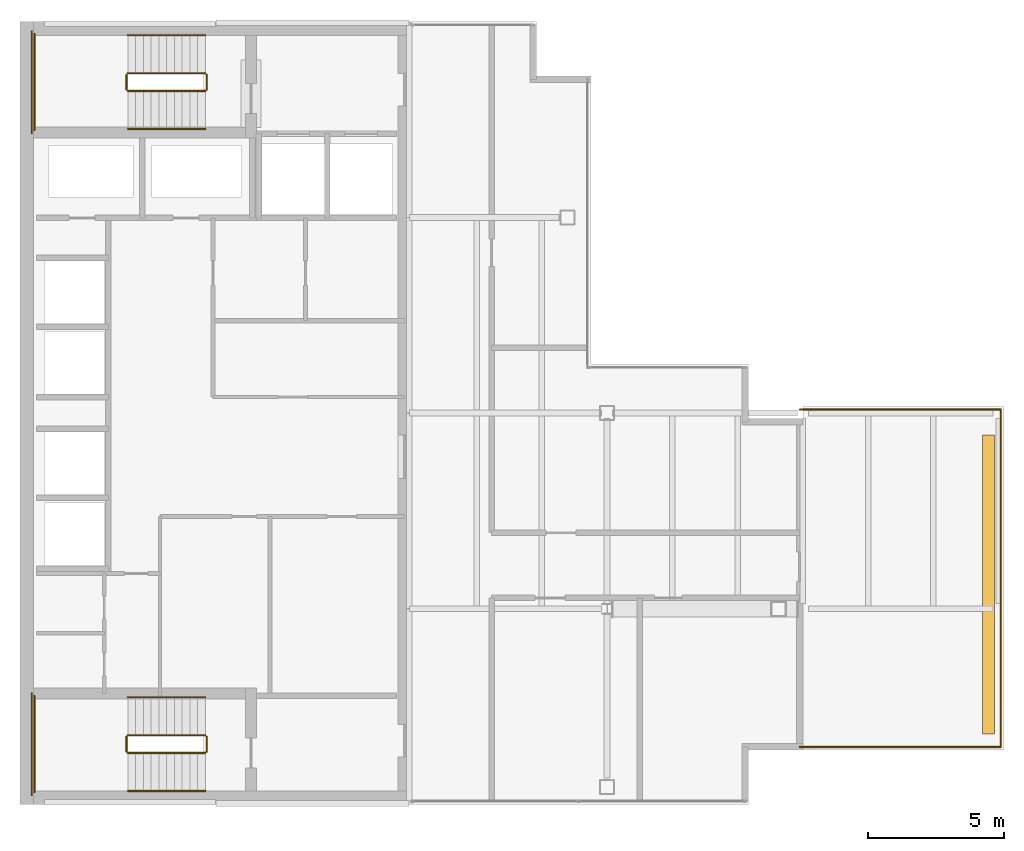
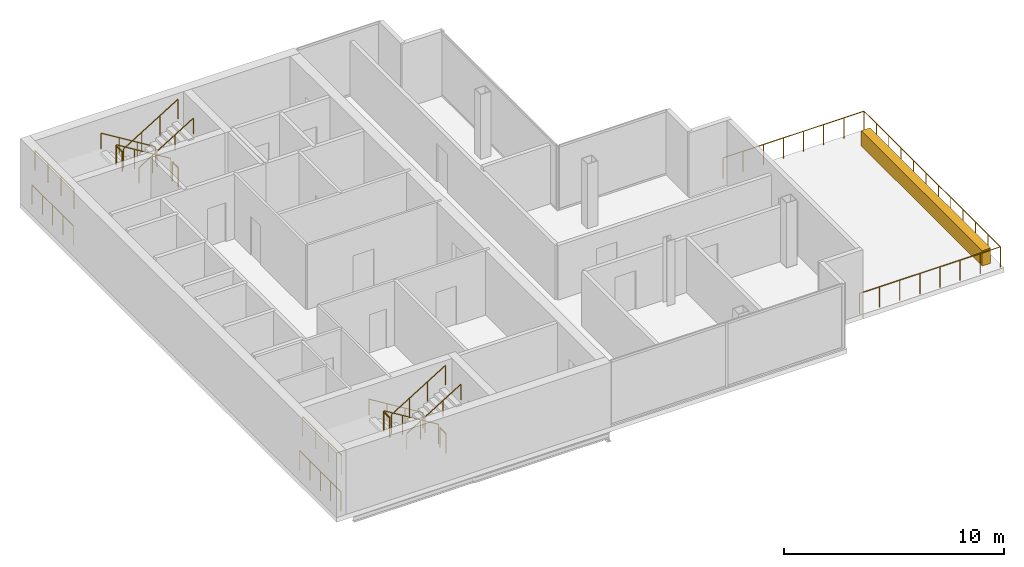
# One storey, part 16 of 16: 19 railings, 1 covering.
"""IFC4 building model written with IfcOpenShell, lengths in metres."""

from ifc_helpers import new_model, si_unit, direction, frame, origin, origin_2d, place, context, subcontext, project, spatial, polyline, circle, outline, extrude, material, layer, layer_set, type_object, element, save


model = new_model("IFC4")

# Units and contexts
model_context = context("Model", 3, precision=1e-05, world=origin(), true_north=direction((0.0, 1.0)))
body_context = subcontext(model_context, "Body", "Model", "MODEL_VIEW")
ifc_project = project(units=[si_unit("LENGTHUNIT", "METRE"), si_unit("AREAUNIT", "SQUARE_METRE"), si_unit("VOLUMEUNIT", "CUBIC_METRE"), si_unit("PLANEANGLEUNIT", "RADIAN"), si_unit("MASSUNIT", "GRAM", prefix="KILO")], contexts=[model_context])

# Site, building, storey
site_placement = place(None, origin())
site = spatial("IfcSite", under=ifc_project, at=site_placement, CompositionType="ELEMENT")
building_placement = place(site_placement, origin())
building = spatial("IfcBuilding", under=site, at=building_placement, Name="Cobrela Telecom Tower", CompositionType="ELEMENT")
storey_placement = place(building_placement, frame((0.0, 0.0, 293.64990234375)))
storey = spatial("IfcBuildingStorey", under=building, at=storey_placement, Name="L77", CompositionType="ELEMENT", Elevation=293.64990234375)

# Covering
ifc_material_1 = material(Name="Planted Vegetated Landscape Soil and Foliage System")
ifc_layer = layer(ifc_material_1, 0.85009765625)
ifc_layer_set = layer_set([ifc_layer], Name="Planted Vegetated Landscape Soil and Foliage System")
covering_type = type_object("IfcCoveringType", Name="PLANTER-BED-850", PredefinedType="USERDEFINED", material=ifc_layer_set)
covering_placement = place(storey_placement, origin())
element("IfcCovering", 1, at=covering_placement, inside=storey, type_object=covering_type, Name="L77 Sky Garden Planted Parapet Bed SG77-E", ObjectType="PLANTER", PredefinedType="USERDEFINED", context=body_context, shape_type="SweptSolid", body=[
    extrude(outline(polyline([(35.39990234375, 9.800048828125), (35.85009765625, 9.800048828125), (35.85009765625, 20.800048828125), (35.39990234375, 20.800048828125), (35.39990234375, 9.800048828125)])), origin(), (0.0, 0.0, 1.0), 0.85009765625),
])

# Railings
ifc_material_2 = material(Name="Anodized Bronze Aluminium 6063-T6", Category="aluminium")
railing_type_1 = type_object("IfcRailingType", Name="RAIL-BAL-1150", PredefinedType="BALUSTRADE", material=ifc_material_2)
railing_1_placement = place(storey_placement, frame((28.679931640625, 9.320068359375, 0.0)))
element("IfcRailing", 2, at=railing_1_placement, inside=storey, type_object=railing_type_1, Name="L77 Outdoor Terrace Perimeter Balustrade SG77-S", PredefinedType="BALUSTRADE", context=body_context, shape_type="SweptSolid", body=[
    extrude(circle(Radius=0.02392578125, at=origin_2d()), frame((0.0, 0.0, 1.1259765625), z_axis=(1.0, 0.0, 0.0), x_axis=(0.0, 1.0, 0.0)), (0.0, 0.0, 1.0), 7.400146484375),
    extrude(circle(Radius=0.02099609375, at=origin_2d()), origin(), (0.0, 0.0, 1.0), 1.101806640625),
    extrude(circle(Radius=0.02099609375, at=origin_2d()), frame((1.05712890625, 0.0, 0.0)), (0.0, 0.0, 1.0), 1.101806640625),
    extrude(circle(Radius=0.02099609375, at=origin_2d()), frame((2.1142578125, 0.0, 0.0)), (0.0, 0.0, 1.0), 1.101806640625),
    extrude(circle(Radius=0.02099609375, at=origin_2d()), frame((3.17138671875, 0.0, 0.0)), (0.0, 0.0, 1.0), 1.101806640625),
    extrude(circle(Radius=0.02099609375, at=origin_2d()), frame((4.228759765625, 0.0, 0.0)), (0.0, 0.0, 1.0), 1.101806640625),
    extrude(circle(Radius=0.02099609375, at=origin_2d()), frame((5.285888671875, 0.0, 0.0)), (0.0, 0.0, 1.0), 1.101806640625),
    extrude(circle(Radius=0.02099609375, at=origin_2d()), frame((6.343017578125, 0.0, 0.0)), (0.0, 0.0, 1.0), 1.101806640625),
    extrude(circle(Radius=0.02099609375, at=origin_2d()), frame((7.400146484375, 0.0, 0.0)), (0.0, 0.0, 1.0), 1.101806640625),
])
railing_2_placement = place(storey_placement, frame((36.080078125, 9.320068359375, 0.0)))
element("IfcRailing", 3, at=railing_2_placement, inside=storey, type_object=railing_type_1, Name="L77 Outdoor Terrace Perimeter Balustrade SG77-E", PredefinedType="BALUSTRADE", context=body_context, shape_type="SweptSolid", body=[
    extrude(circle(Radius=0.02392578125, at=origin_2d()), frame((0.0, 0.0, 1.1259765625), z_axis=(0.0, 1.0, 0.0), x_axis=(-1.0, 0.0, 0.0)), (0.0, 0.0, 1.0), 12.409912109375),
    extrude(circle(Radius=0.02099609375, at=origin_2d()), origin(), (0.0, 0.0, 1.0), 1.101806640625),
    extrude(circle(Radius=0.02099609375, at=origin_2d()), frame((0.0, 1.128173828125, 0.0)), (0.0, 0.0, 1.0), 1.101806640625),
    extrude(circle(Radius=0.02099609375, at=origin_2d()), frame((0.0, 2.25634765625, 0.0)), (0.0, 0.0, 1.0), 1.101806640625),
    extrude(circle(Radius=0.02099609375, at=origin_2d()), frame((0.0, 3.384521484375, 0.0)), (0.0, 0.0, 1.0), 1.101806640625),
    extrude(circle(Radius=0.02099609375, at=origin_2d()), frame((0.0, 4.5126953125, 0.0)), (0.0, 0.0, 1.0), 1.101806640625),
    extrude(circle(Radius=0.02099609375, at=origin_2d()), frame((0.0, 5.640869140625, 0.0)), (0.0, 0.0, 1.0), 1.101806640625),
    extrude(circle(Radius=0.02099609375, at=origin_2d()), frame((0.0, 6.76904296875, 0.0)), (0.0, 0.0, 1.0), 1.101806640625),
    extrude(circle(Radius=0.02099609375, at=origin_2d()), frame((0.0, 7.897216796875, 0.0)), (0.0, 0.0, 1.0), 1.101806640625),
    extrude(circle(Radius=0.02099609375, at=origin_2d()), frame((0.0, 9.025390625, 0.0)), (0.0, 0.0, 1.0), 1.101806640625),
    extrude(circle(Radius=0.02099609375, at=origin_2d()), frame((0.0, 10.153564453125, 0.0)), (0.0, 0.0, 1.0), 1.101806640625),
    extrude(circle(Radius=0.02099609375, at=origin_2d()), frame((0.0, 11.28173828125, 0.0)), (0.0, 0.0, 1.0), 1.101806640625),
    extrude(circle(Radius=0.02099609375, at=origin_2d()), frame((0.0, 12.409912109375, 0.0)), (0.0, 0.0, 1.0), 1.101806640625),
])
railing_3_placement = place(storey_placement, frame((36.080078125, 21.72998046875, 0.0)))
element("IfcRailing", 4, at=railing_3_placement, inside=storey, type_object=railing_type_1, Name="L77 Outdoor Terrace Perimeter Balustrade SG77-N", PredefinedType="BALUSTRADE", context=body_context, shape_type="SweptSolid", body=[
    extrude(circle(Radius=0.02392578125, at=origin_2d()), frame((0.0, 0.0, 1.1259765625), z_axis=(-1.0, 0.0, 0.0), x_axis=(0.0, -1.0, 0.0)), (0.0, 0.0, 1.0), 7.400146484375),
    extrude(circle(Radius=0.02099609375, at=origin_2d()), origin(), (0.0, 0.0, 1.0), 1.101806640625),
    extrude(circle(Radius=0.02099609375, at=origin_2d()), frame((-1.05712890625, 0.0, 0.0)), (0.0, 0.0, 1.0), 1.101806640625),
    extrude(circle(Radius=0.02099609375, at=origin_2d()), frame((-2.1142578125, 0.0, 0.0)), (0.0, 0.0, 1.0), 1.101806640625),
    extrude(circle(Radius=0.02099609375, at=origin_2d()), frame((-3.17138671875, 0.0, 0.0)), (0.0, 0.0, 1.0), 1.101806640625),
    extrude(circle(Radius=0.02099609375, at=origin_2d()), frame((-4.228759765625, 0.0, 0.0)), (0.0, 0.0, 1.0), 1.101806640625),
    extrude(circle(Radius=0.02099609375, at=origin_2d()), frame((-5.285888671875, 0.0, 0.0)), (0.0, 0.0, 1.0), 1.101806640625),
    extrude(circle(Radius=0.02099609375, at=origin_2d()), frame((-6.343017578125, 0.0, 0.0)), (0.0, 0.0, 1.0), 1.101806640625),
    extrude(circle(Radius=0.02099609375, at=origin_2d()), frame((-7.400146484375, 0.0, 0.0)), (0.0, 0.0, 1.0), 1.101806640625),
])
ifc_material_3 = material(Name="Steel ASTM A36", Category="steel")
railing_type_2 = type_object("IfcRailingType", Name="RAIL-GUARD-1100", PredefinedType="GUARDRAIL", material=ifc_material_3)
railing_4_placement = place(storey_placement, frame((6.820068359375, 34.10009765625, 0.175048828125)))
element("IfcRailing", 5, at=railing_4_placement, inside=storey, type_object=railing_type_2, Name="L77 ST1 stair guard 1", PredefinedType="GUARDRAIL", context=body_context, shape_type="SweptSolid", body=[
    extrude(circle(Radius=0.02392578125, at=origin_2d()), frame((0.0, 0.0, 1.076171875), z_axis=(-0.852179220489, 0.0, 0.52325001306), x_axis=(0.0, -1.0, 0.0)), (0.0, 0.0, 1.0), 3.344482421875),
    extrude(circle(Radius=0.02099609375, at=origin_2d()), origin(), (0.0, 0.0, 1.0), 1.052001953125),
    extrude(circle(Radius=0.02099609375, at=origin_2d()), frame((-0.949951171875, 0.0, 0.583251953125)), (0.0, 0.0, 1.0), 1.052001953125),
    extrude(circle(Radius=0.02099609375, at=origin_2d()), frame((-1.900146484375, 0.0, 1.166748046875)), (0.0, 0.0, 1.0), 1.052001953125),
    extrude(circle(Radius=0.02099609375, at=origin_2d()), frame((-2.85009765625, 0.0, 1.75)), (0.0, 0.0, 1.0), 1.052001953125),
])
railing_5_placement = place(storey_placement, frame((3.919921875, 34.050048828125, 1.925048828125)))
element("IfcRailing", 6, at=railing_5_placement, inside=storey, type_object=railing_type_2, Name="L77 ST1 stair guard 2", PredefinedType="GUARDRAIL", context=body_context, shape_type="SweptSolid", body=[
    extrude(circle(Radius=0.02392578125, at=origin_2d()), frame((0.0, 0.0, 1.076171875), z_axis=(0.0, -1.0, 0.0), x_axis=(1.0, 0.0, 0.0)), (0.0, 0.0, 1.0), 0.550048828125),
    extrude(circle(Radius=0.02099609375, at=origin_2d()), origin(), (0.0, 0.0, 1.0), 1.052001953125),
    extrude(circle(Radius=0.02099609375, at=origin_2d()), frame((0.0, -0.550048828125, 0.0)), (0.0, 0.0, 1.0), 1.052001953125),
])
railing_6_placement = place(storey_placement, frame((0.530029296875, 35.550048828125, 1.925048828125)))
element("IfcRailing", 7, at=railing_6_placement, inside=storey, type_object=railing_type_2, Name="L77 ST1 stair guard 3", PredefinedType="GUARDRAIL", context=body_context, shape_type="SweptSolid", body=[
    extrude(circle(Radius=0.02392578125, at=origin_2d()), frame((0.0, 0.0, 1.076171875), z_axis=(0.0, -1.0, 0.0), x_axis=(1.0, 0.0, 0.0)), (0.0, 0.0, 1.0), 3.550048828125),
    extrude(circle(Radius=0.02099609375, at=origin_2d()), origin(), (0.0, 0.0, 1.0), 1.052001953125),
    extrude(circle(Radius=0.02099609375, at=origin_2d()), frame((0.0, -1.183349609375, 0.0)), (0.0, 0.0, 1.0), 1.052001953125),
    extrude(circle(Radius=0.02099609375, at=origin_2d()), frame((0.0, -2.36669921875, 0.0)), (0.0, 0.0, 1.0), 1.052001953125),
    extrude(circle(Radius=0.02099609375, at=origin_2d()), frame((0.0, -3.550048828125, 0.0)), (0.0, 0.0, 1.0), 1.052001953125),
])
railing_7_placement = place(storey_placement, frame((3.969970703125, 33.449951171875, 2.10009765625)))
element("IfcRailing", 8, at=railing_7_placement, inside=storey, type_object=railing_type_2, Name="L77 ST1 stair guard 4", PredefinedType="GUARDRAIL", context=body_context, shape_type="SweptSolid", body=[
    extrude(circle(Radius=0.02392578125, at=origin_2d()), frame((0.0, 0.0, 1.076171875), z_axis=(0.852179220489, 0.0, 0.52325001306), x_axis=(0.0, 1.0, 0.0)), (0.0, 0.0, 1.0), 3.344482421875),
    extrude(circle(Radius=0.02099609375, at=origin_2d()), origin(), (0.0, 0.0, 1.0), 1.052001953125),
    extrude(circle(Radius=0.02099609375, at=origin_2d()), frame((0.949951171875, 0.0, 0.583251953125)), (0.0, 0.0, 1.0), 1.052001953125),
    extrude(circle(Radius=0.02099609375, at=origin_2d()), frame((1.900146484375, 0.0, 1.166748046875)), (0.0, 0.0, 1.0), 1.052001953125),
    extrude(circle(Radius=0.02099609375, at=origin_2d()), frame((2.85009765625, 0.0, 1.75)), (0.0, 0.0, 1.0), 1.052001953125),
])
railing_8_placement = place(storey_placement, frame((6.8701171875, 34.050048828125, 0.0)))
element("IfcRailing", 9, at=railing_8_placement, inside=storey, type_object=railing_type_2, Name="L77 ST1 stair guard 5", PredefinedType="GUARDRAIL", context=body_context, shape_type="SweptSolid", body=[
    extrude(circle(Radius=0.02392578125, at=origin_2d()), frame((0.0, 0.0, 1.076171875), z_axis=(0.0, -1.0, 0.0), x_axis=(1.0, 0.0, 0.0)), (0.0, 0.0, 1.0), 0.550048828125),
    extrude(circle(Radius=0.02099609375, at=origin_2d()), origin(), (0.0, 0.0, 1.0), 1.052001953125),
    extrude(circle(Radius=0.02099609375, at=origin_2d()), frame((0.0, -0.550048828125, 0.0)), (0.0, 0.0, 1.0), 1.052001953125),
])
railing_9_placement = place(storey_placement, frame((0.429931640625, 35.64990234375, 0.0)))
element("IfcRailing", 10, at=railing_9_placement, inside=storey, type_object=railing_type_2, Name="L77 ST1 stair guard 6", PredefinedType="GUARDRAIL", context=body_context, shape_type="SweptSolid", body=[
    extrude(circle(Radius=0.02392578125, at=origin_2d()), frame((0.0, 0.0, 1.076171875), z_axis=(0.0, -1.0, 0.0), x_axis=(1.0, 0.0, 0.0)), (0.0, 0.0, 1.0), 3.75),
    extrude(circle(Radius=0.02099609375, at=origin_2d()), origin(), (0.0, 0.0, 1.0), 1.052001953125),
    extrude(circle(Radius=0.02099609375, at=origin_2d()), frame((0.0, -0.9375, 0.0)), (0.0, 0.0, 1.0), 1.052001953125),
    extrude(circle(Radius=0.02099609375, at=origin_2d()), frame((0.0, -1.875, 0.0)), (0.0, 0.0, 1.0), 1.052001953125),
    extrude(circle(Radius=0.02099609375, at=origin_2d()), frame((0.0, -2.8125, 0.0)), (0.0, 0.0, 1.0), 1.052001953125),
    extrude(circle(Radius=0.02099609375, at=origin_2d()), frame((0.0, -3.75, 0.0)), (0.0, 0.0, 1.0), 1.052001953125),
])
railing_10_placement = place(storey_placement, frame((6.820068359375, 9.75, 0.175048828125)))
element("IfcRailing", 11, at=railing_10_placement, inside=storey, type_object=railing_type_2, Name="L77 ST2 stair guard 1", PredefinedType="GUARDRAIL", context=body_context, shape_type="SweptSolid", body=[
    extrude(circle(Radius=0.02392578125, at=origin_2d()), frame((0.0, 0.0, 1.076171875), z_axis=(-0.852179220489, 0.0, 0.52325001306), x_axis=(0.0, -1.0, 0.0)), (0.0, 0.0, 1.0), 3.344482421875),
    extrude(circle(Radius=0.02099609375, at=origin_2d()), origin(), (0.0, 0.0, 1.0), 1.052001953125),
    extrude(circle(Radius=0.02099609375, at=origin_2d()), frame((-0.949951171875, 0.0, 0.583251953125)), (0.0, 0.0, 1.0), 1.052001953125),
    extrude(circle(Radius=0.02099609375, at=origin_2d()), frame((-1.900146484375, 0.0, 1.166748046875)), (0.0, 0.0, 1.0), 1.052001953125),
    extrude(circle(Radius=0.02099609375, at=origin_2d()), frame((-2.85009765625, 0.0, 1.75)), (0.0, 0.0, 1.0), 1.052001953125),
])
railing_11_placement = place(storey_placement, frame((3.919921875, 9.699951171875, 1.925048828125)))
element("IfcRailing", 12, at=railing_11_placement, inside=storey, type_object=railing_type_2, Name="L77 ST2 stair guard 2", PredefinedType="GUARDRAIL", context=body_context, shape_type="SweptSolid", body=[
    extrude(circle(Radius=0.02392578125, at=origin_2d()), frame((0.0, 0.0, 1.076171875), z_axis=(0.0, -1.0, 0.0), x_axis=(1.0, 0.0, 0.0)), (0.0, 0.0, 1.0), 0.550048828125),
    extrude(circle(Radius=0.02099609375, at=origin_2d()), origin(), (0.0, 0.0, 1.0), 1.052001953125),
    extrude(circle(Radius=0.02099609375, at=origin_2d()), frame((0.0, -0.550048828125, 0.0)), (0.0, 0.0, 1.0), 1.052001953125),
])
railing_12_placement = place(storey_placement, frame((0.530029296875, 11.199951171875, 1.925048828125)))
element("IfcRailing", 13, at=railing_12_placement, inside=storey, type_object=railing_type_2, Name="L77 ST2 stair guard 3", PredefinedType="GUARDRAIL", context=body_context, shape_type="SweptSolid", body=[
    extrude(circle(Radius=0.02392578125, at=origin_2d()), frame((0.0, 0.0, 1.076171875), z_axis=(0.0, -1.0, 0.0), x_axis=(1.0, 0.0, 0.0)), (0.0, 0.0, 1.0), 3.550048828125),
    extrude(circle(Radius=0.02099609375, at=origin_2d()), origin(), (0.0, 0.0, 1.0), 1.052001953125),
    extrude(circle(Radius=0.02099609375, at=origin_2d()), frame((0.0, -1.183349609375, 0.0)), (0.0, 0.0, 1.0), 1.052001953125),
    extrude(circle(Radius=0.02099609375, at=origin_2d()), frame((0.0, -2.36669921875, 0.0)), (0.0, 0.0, 1.0), 1.052001953125),
    extrude(circle(Radius=0.02099609375, at=origin_2d()), frame((0.0, -3.550048828125, 0.0)), (0.0, 0.0, 1.0), 1.052001953125),
])
railing_13_placement = place(storey_placement, frame((3.969970703125, 9.10009765625, 2.10009765625)))
element("IfcRailing", 14, at=railing_13_placement, inside=storey, type_object=railing_type_2, Name="L77 ST2 stair guard 4", PredefinedType="GUARDRAIL", context=body_context, shape_type="SweptSolid", body=[
    extrude(circle(Radius=0.02392578125, at=origin_2d()), frame((0.0, 0.0, 1.076171875), z_axis=(0.852179220489, 0.0, 0.52325001306), x_axis=(0.0, 1.0, 0.0)), (0.0, 0.0, 1.0), 3.344482421875),
    extrude(circle(Radius=0.02099609375, at=origin_2d()), origin(), (0.0, 0.0, 1.0), 1.052001953125),
    extrude(circle(Radius=0.02099609375, at=origin_2d()), frame((0.949951171875, 0.0, 0.583251953125)), (0.0, 0.0, 1.0), 1.052001953125),
    extrude(circle(Radius=0.02099609375, at=origin_2d()), frame((1.900146484375, 0.0, 1.166748046875)), (0.0, 0.0, 1.0), 1.052001953125),
    extrude(circle(Radius=0.02099609375, at=origin_2d()), frame((2.85009765625, 0.0, 1.75)), (0.0, 0.0, 1.0), 1.052001953125),
])
railing_14_placement = place(storey_placement, frame((6.8701171875, 9.699951171875, 0.0)))
element("IfcRailing", 15, at=railing_14_placement, inside=storey, type_object=railing_type_2, Name="L77 ST2 stair guard 5", PredefinedType="GUARDRAIL", context=body_context, shape_type="SweptSolid", body=[
    extrude(circle(Radius=0.02392578125, at=origin_2d()), frame((0.0, 0.0, 1.076171875), z_axis=(0.0, -1.0, 0.0), x_axis=(1.0, 0.0, 0.0)), (0.0, 0.0, 1.0), 0.550048828125),
    extrude(circle(Radius=0.02099609375, at=origin_2d()), origin(), (0.0, 0.0, 1.0), 1.052001953125),
    extrude(circle(Radius=0.02099609375, at=origin_2d()), frame((0.0, -0.550048828125, 0.0)), (0.0, 0.0, 1.0), 1.052001953125),
])
railing_15_placement = place(storey_placement, frame((0.429931640625, 11.300048828125, 0.0)))
element("IfcRailing", 16, at=railing_15_placement, inside=storey, type_object=railing_type_2, Name="L77 ST2 stair guard 6", PredefinedType="GUARDRAIL", context=body_context, shape_type="SweptSolid", body=[
    extrude(circle(Radius=0.02392578125, at=origin_2d()), frame((0.0, 0.0, 1.076171875), z_axis=(0.0, -1.0, 0.0), x_axis=(1.0, 0.0, 0.0)), (0.0, 0.0, 1.0), 3.75),
    extrude(circle(Radius=0.02099609375, at=origin_2d()), origin(), (0.0, 0.0, 1.0), 1.052001953125),
    extrude(circle(Radius=0.02099609375, at=origin_2d()), frame((0.0, -0.9375, 0.0)), (0.0, 0.0, 1.0), 1.052001953125),
    extrude(circle(Radius=0.02099609375, at=origin_2d()), frame((0.0, -1.875, 0.0)), (0.0, 0.0, 1.0), 1.052001953125),
    extrude(circle(Radius=0.02099609375, at=origin_2d()), frame((0.0, -2.8125, 0.0)), (0.0, 0.0, 1.0), 1.052001953125),
    extrude(circle(Radius=0.02099609375, at=origin_2d()), frame((0.0, -3.75, 0.0)), (0.0, 0.0, 1.0), 1.052001953125),
])
railing_type_3 = type_object("IfcRailingType", Name="RAIL-HAND-920", PredefinedType="HANDRAIL", material=ifc_material_3)
railing_16_placement = place(storey_placement, frame((6.820068359375, 35.5, 0.175048828125)))
element("IfcRailing", 17, at=railing_16_placement, inside=storey, type_object=railing_type_3, Name="L77 ST1 stair handrail 1", PredefinedType="HANDRAIL", context=body_context, shape_type="SweptSolid", body=[
    extrude(circle(Radius=0.02392578125, at=origin_2d()), frame((0.0, 0.0, 0.8759765625), z_axis=(-0.852179220489, 0.0, 0.52325001306), x_axis=(0.0, -1.0, 0.0)), (0.0, 0.0, 1.0), 3.344482421875),
    extrude(circle(Radius=0.02099609375, at=origin_2d()), origin(), (0.0, 0.0, 1.0), 0.851806640625),
    extrude(circle(Radius=0.02099609375, at=origin_2d()), frame((-0.949951171875, 0.0, 0.583251953125)), (0.0, 0.0, 1.0), 0.851806640625),
    extrude(circle(Radius=0.02099609375, at=origin_2d()), frame((-1.900146484375, 0.0, 1.166748046875)), (0.0, 0.0, 1.0), 0.851806640625),
    extrude(circle(Radius=0.02099609375, at=origin_2d()), frame((-2.85009765625, 0.0, 1.75)), (0.0, 0.0, 1.0), 0.851806640625),
])
railing_17_placement = place(storey_placement, frame((3.969970703125, 32.050048828125, 2.10009765625)))
element("IfcRailing", 18, at=railing_17_placement, inside=storey, type_object=railing_type_3, Name="L77 ST1 stair handrail 2", PredefinedType="HANDRAIL", context=body_context, shape_type="SweptSolid", body=[
    extrude(circle(Radius=0.02392578125, at=origin_2d()), frame((0.0, 0.0, 0.8759765625), z_axis=(0.852179220489, 0.0, 0.52325001306), x_axis=(0.0, 1.0, 0.0)), (0.0, 0.0, 1.0), 3.344482421875),
    extrude(circle(Radius=0.02099609375, at=origin_2d()), origin(), (0.0, 0.0, 1.0), 0.851806640625),
    extrude(circle(Radius=0.02099609375, at=origin_2d()), frame((0.949951171875, 0.0, 0.583251953125)), (0.0, 0.0, 1.0), 0.851806640625),
    extrude(circle(Radius=0.02099609375, at=origin_2d()), frame((1.900146484375, 0.0, 1.166748046875)), (0.0, 0.0, 1.0), 0.851806640625),
    extrude(circle(Radius=0.02099609375, at=origin_2d()), frame((2.85009765625, 0.0, 1.75)), (0.0, 0.0, 1.0), 0.851806640625),
])
railing_18_placement = place(storey_placement, frame((6.820068359375, 11.14990234375, 0.175048828125)))
element("IfcRailing", 19, at=railing_18_placement, inside=storey, type_object=railing_type_3, Name="L77 ST2 stair handrail 1", PredefinedType="HANDRAIL", context=body_context, shape_type="SweptSolid", body=[
    extrude(circle(Radius=0.02392578125, at=origin_2d()), frame((0.0, 0.0, 0.8759765625), z_axis=(-0.852179220489, 0.0, 0.52325001306), x_axis=(0.0, -1.0, 0.0)), (0.0, 0.0, 1.0), 3.344482421875),
    extrude(circle(Radius=0.02099609375, at=origin_2d()), origin(), (0.0, 0.0, 1.0), 0.851806640625),
    extrude(circle(Radius=0.02099609375, at=origin_2d()), frame((-0.949951171875, 0.0, 0.583251953125)), (0.0, 0.0, 1.0), 0.851806640625),
    extrude(circle(Radius=0.02099609375, at=origin_2d()), frame((-1.900146484375, 0.0, 1.166748046875)), (0.0, 0.0, 1.0), 0.851806640625),
    extrude(circle(Radius=0.02099609375, at=origin_2d()), frame((-2.85009765625, 0.0, 1.75)), (0.0, 0.0, 1.0), 0.851806640625),
])
railing_19_placement = place(storey_placement, frame((3.969970703125, 7.699951171875, 2.10009765625)))
element("IfcRailing", 20, at=railing_19_placement, inside=storey, type_object=railing_type_3, Name="L77 ST2 stair handrail 2", PredefinedType="HANDRAIL", context=body_context, shape_type="SweptSolid", body=[
    extrude(circle(Radius=0.02392578125, at=origin_2d()), frame((0.0, 0.0, 0.8759765625), z_axis=(0.852179220489, 0.0, 0.52325001306), x_axis=(0.0, 1.0, 0.0)), (0.0, 0.0, 1.0), 3.344482421875),
    extrude(circle(Radius=0.02099609375, at=origin_2d()), origin(), (0.0, 0.0, 1.0), 0.851806640625),
    extrude(circle(Radius=0.02099609375, at=origin_2d()), frame((0.949951171875, 0.0, 0.583251953125)), (0.0, 0.0, 1.0), 0.851806640625),
    extrude(circle(Radius=0.02099609375, at=origin_2d()), frame((1.900146484375, 0.0, 1.166748046875)), (0.0, 0.0, 1.0), 0.851806640625),
    extrude(circle(Radius=0.02099609375, at=origin_2d()), frame((2.85009765625, 0.0, 1.75)), (0.0, 0.0, 1.0), 0.851806640625),
])

save(model, "model.ifc")
